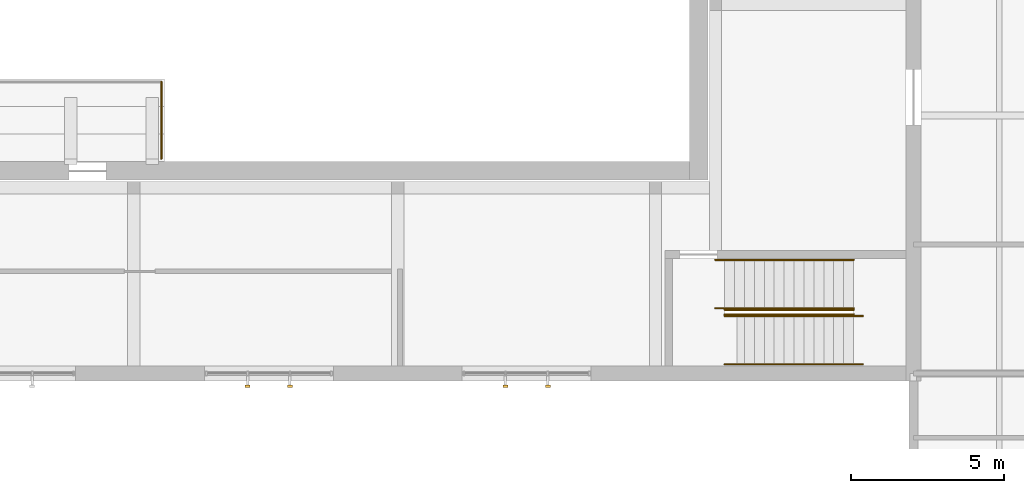
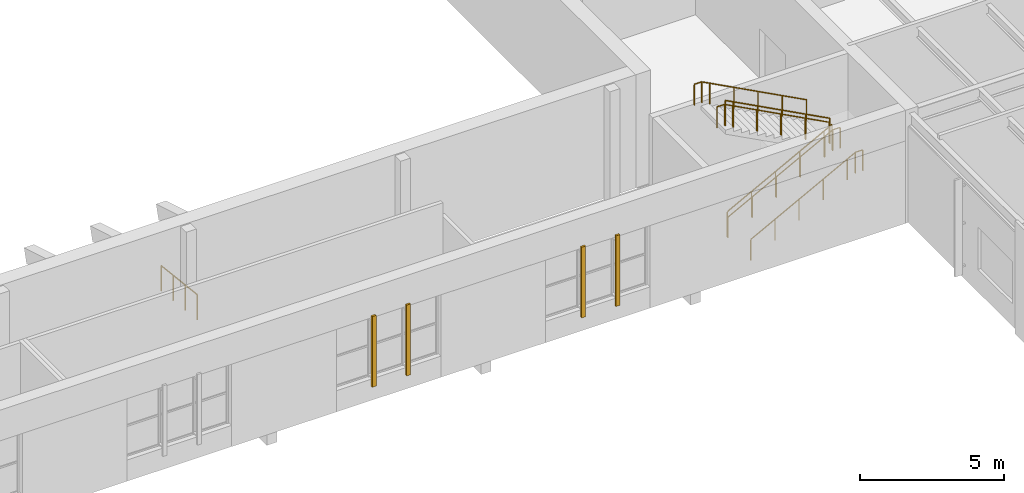
# One storey, part 115 of 127: 7 railings, 4 shading devices.
"""IFC4 building model written with IfcOpenShell, lengths in metres."""

from ifc_helpers import new_model, si_unit, direction, frame, origin, origin_2d, place, context, subcontext, project, spatial, rectangle, circle, extrude, material, type_object, element, save


model = new_model("IFC4")

# Units and contexts
model_context = context("Model", 3, precision=1e-05, world=origin(), true_north=direction((0.0, 1.0)))
body_context = subcontext(model_context, "Body", "Model", "MODEL_VIEW")
ifc_project = project(units=[si_unit("LENGTHUNIT", "METRE"), si_unit("AREAUNIT", "SQUARE_METRE"), si_unit("VOLUMEUNIT", "CUBIC_METRE"), si_unit("PLANEANGLEUNIT", "RADIAN"), si_unit("MASSUNIT", "GRAM", prefix="KILO")], contexts=[model_context])

# Site, building, storey
site_placement = place(None, origin())
site = spatial("IfcSite", under=ifc_project, at=site_placement, CompositionType="ELEMENT")
building_placement = place(site_placement, origin())
building = spatial("IfcBuilding", under=site, at=building_placement, Name="Ljudholm Concert House", CompositionType="ELEMENT")
storey_placement = place(building_placement, frame((0.0, 0.0, 5.39990234375)))
storey = spatial("IfcBuildingStorey", under=building, at=storey_placement, Name="L01", CompositionType="ELEMENT", Elevation=5.39990234375)

# Shading devices
ifc_material_1 = material(Name="Aluminium extrusion with timber-grain PVDF finish", Category="aluminium")
shading_device_type = type_object("IfcShadingDeviceType", Name="FACADE FIN 80x160", PredefinedType="SHUTTER", material=ifc_material_1)
for number, where, z_axis, x_axis, name in (
    (1, (74.7099609375, 53.989990234375, 0.7001953125), (0.0, 0.0, 1.0), (0.0, -1.0, 0.0), "Facade fin"),
    (2, (76.090087890625, 53.989990234375, 0.7001953125), (0.0, 0.0, 1.0), (0.0, -1.0, 0.0), "Facade fin"),
    (3, (83.110107421875, 53.989990234375, 0.7001953125), (0.0, 0.0, 1.0), (0.0, -1.0, 0.0), "Facade fin"),
    (4, (84.489990234375, 53.989990234375, 0.7001953125), (0.0, 0.0, 1.0), (0.0, -1.0, 0.0), "Facade fin"),
):
    element("IfcShadingDevice", number, at=place(storey_placement, frame(where, z_axis=z_axis, x_axis=x_axis)), inside=storey, type_object=shading_device_type, Name=name, PredefinedType="SHUTTER", context=body_context, shape_type="SweptSolid", body=[
        extrude(rectangle(XDim=0.080078125, YDim=0.159912109375, at=origin_2d()), origin(), (0.0, 0.0, 1.0), 3.0),
    ])

# Railings
ifc_material_2 = material(Name="Steel ASTM A36", Category="steel")
railing_type_1 = type_object("IfcRailingType", Name="GUARD 1100", PredefinedType="GUARDRAIL", material=ifc_material_2)
railing_1_placement = place(storey_placement, frame((90.25, 56.324951171875, 0.171630859375)))
element("IfcRailing", 5, at=railing_1_placement, inside=storey, type_object=railing_type_1, Name="Guard", PredefinedType="GUARDRAIL", context=body_context, shape_type="SweptSolid", body=[
    extrude(circle(Radius=0.02490234375, at=origin_2d()), frame((0.0, 0.0, 1.0751953125), z_axis=(0.883397901953, 0.0, 0.468623672925), x_axis=(0.0, 1.0, 0.0)), (0.0, 0.0, 1.0), 1.09716796875),
    extrude(circle(Radius=0.02490234375, at=origin_2d()), frame((0.96923828125, 0.0, 1.58935546875), z_axis=(0.883305776083, 0.0, 0.468797297281), x_axis=(0.0, 1.0, 0.0)), (0.0, 0.0, 1.0), 1.09716796875),
    extrude(circle(Radius=0.02490234375, at=origin_2d()), frame((1.9384765625, 0.0, 2.103515625), z_axis=(0.883397901953, 0.0, 0.468623672925), x_axis=(0.0, 1.0, 0.0)), (0.0, 0.0, 1.0), 1.09716796875),
    extrude(circle(Radius=0.02490234375, at=origin_2d()), frame((2.90771484375, 0.0, 2.61767578125), z_axis=(0.883305776083, 0.0, 0.468797297281), x_axis=(0.0, 1.0, 0.0)), (0.0, 0.0, 1.0), 1.09716796875),
    extrude(circle(Radius=0.02490234375, at=origin_2d()), frame((3.876953125, 0.0, 3.13232421875), z_axis=(0.883349020695, 0.0, 0.468715806899), x_axis=(0.0, 1.0, 0.0)), (0.0, 0.0, 1.0), 0.36572265625),
    extrude(circle(Radius=0.02099609375, at=origin_2d()), origin(), (0.0, 0.0, 1.0), 1.050048828125),
    extrude(circle(Radius=0.02099609375, at=origin_2d()), frame((0.96923828125, 0.0, 0.51416015625)), (0.0, 0.0, 1.0), 1.050048828125),
    extrude(circle(Radius=0.02099609375, at=origin_2d()), frame((1.9384765625, 0.0, 1.028564453125)), (0.0, 0.0, 1.0), 1.050048828125),
    extrude(circle(Radius=0.02099609375, at=origin_2d()), frame((2.90771484375, 0.0, 1.542724609375)), (0.0, 0.0, 1.0), 1.050048828125),
    extrude(circle(Radius=0.02099609375, at=origin_2d()), frame((3.876953125, 0.0, 2.05712890625)), (0.0, 0.0, 1.0), 1.050048828125),
    extrude(circle(Radius=0.02099609375, at=origin_2d()), frame((4.199951171875, 0.0, 2.228515625)), (0.0, 0.0, 1.0), 1.050048828125),
])
railing_2_placement = place(storey_placement, frame((94.449951171875, 56.47509765625, 2.571533203125)))
element("IfcRailing", 6, at=railing_2_placement, inside=storey, type_object=railing_type_1, Name="Guard", PredefinedType="GUARDRAIL", context=body_context, shape_type="SweptSolid", body=[
    extrude(circle(Radius=0.02490234375, at=origin_2d()), frame((0.0, 0.0, 1.0751953125), z_axis=(-0.883397901953, 0.0, 0.468623672925), x_axis=(0.0, -1.0, 0.0)), (0.0, 0.0, 1.0), 1.09716796875),
    extrude(circle(Radius=0.02490234375, at=origin_2d()), frame((-0.96923828125, 0.0, 1.58935546875), z_axis=(-0.883305776083, 0.0, 0.468797297281), x_axis=(0.0, -1.0, 0.0)), (0.0, 0.0, 1.0), 1.09716796875),
    extrude(circle(Radius=0.02490234375, at=origin_2d()), frame((-1.9384765625, 0.0, 2.103515625), z_axis=(-0.883305776083, 0.0, 0.468797297281), x_axis=(0.0, -1.0, 0.0)), (0.0, 0.0, 1.0), 1.09716796875),
    extrude(circle(Radius=0.02490234375, at=origin_2d()), frame((-2.90771484375, 0.0, 2.6181640625), z_axis=(-0.883397901953, 0.0, 0.468623672925), x_axis=(0.0, -1.0, 0.0)), (0.0, 0.0, 1.0), 1.09716796875),
    extrude(circle(Radius=0.02490234375, at=origin_2d()), frame((-3.876953125, 0.0, 3.13232421875), z_axis=(-0.883349020695, 0.0, 0.468715806899), x_axis=(0.0, -1.0, 0.0)), (0.0, 0.0, 1.0), 0.36572265625),
    extrude(circle(Radius=0.02099609375, at=origin_2d()), origin(), (0.0, 0.0, 1.0), 1.050048828125),
    extrude(circle(Radius=0.02099609375, at=origin_2d()), frame((-0.96923828125, 0.0, 0.51416015625)), (0.0, 0.0, 1.0), 1.050048828125),
    extrude(circle(Radius=0.02099609375, at=origin_2d()), frame((-1.9384765625, 0.0, 1.028564453125)), (0.0, 0.0, 1.0), 1.050048828125),
    extrude(circle(Radius=0.02099609375, at=origin_2d()), frame((-2.90771484375, 0.0, 1.54296875)), (0.0, 0.0, 1.0), 1.050048828125),
    extrude(circle(Radius=0.02099609375, at=origin_2d()), frame((-3.876953125, 0.0, 2.05712890625)), (0.0, 0.0, 1.0), 1.050048828125),
    extrude(circle(Radius=0.02099609375, at=origin_2d()), frame((-4.199951171875, 0.0, 2.228515625)), (0.0, 0.0, 1.0), 1.050048828125),
])
railing_3_placement = place(storey_placement, frame((71.89990234375, 61.39990234375, 0.0)))
element("IfcRailing", 7, at=railing_3_placement, inside=storey, type_object=railing_type_1, Name="Gallery end guard", PredefinedType="GUARDRAIL", context=body_context, shape_type="SweptSolid", body=[
    extrude(circle(Radius=0.02490234375, at=origin_2d()), frame((0.0, 0.0, 1.0751953125), z_axis=(0.0, 0.993392781118, -0.114764029303), x_axis=(-1.0, 0.0, 0.0)), (0.0, 0.0, 1.0), 2.5166015625),
    extrude(circle(Radius=0.02099609375, at=origin_2d()), origin(), (0.0, 0.0, 1.0), 1.050048828125),
    extrude(circle(Radius=0.02099609375, at=origin_2d()), frame((0.0, 0.833251953125, -0.09619140625)), (0.0, 0.0, 1.0), 1.050048828125),
    extrude(circle(Radius=0.02099609375, at=origin_2d()), frame((0.0, 1.666748046875, -0.192626953125)), (0.0, 0.0, 1.0), 1.050048828125),
    extrude(circle(Radius=0.02099609375, at=origin_2d()), frame((0.0, 2.5, -0.288818359375)), (0.0, 0.0, 1.0), 1.050048828125),
])
ifc_material_3 = material(Name="Steel ASTM A36", Category="steel")
railing_type_2 = type_object("IfcRailingType", Name="HANDRAIL 900", PredefinedType="HANDRAIL", material=ifc_material_3)
railing_4_placement = place(storey_placement, frame((90.25, 56.27490234375, 0.171630859375)))
element("IfcRailing", 8, at=railing_4_placement, inside=storey, type_object=railing_type_2, Name="Handrail", PredefinedType="HANDRAIL", context=body_context, shape_type="SweptSolid", body=[
    extrude(circle(Radius=0.0224609375, at=origin_2d()), frame((0.0, 0.0, 0.87744140625), z_axis=(0.883397901953, 0.0, 0.468623672925), x_axis=(0.0, 1.0, 0.0)), (0.0, 0.0, 1.0), 1.09716796875),
    extrude(circle(Radius=0.0224609375, at=origin_2d()), frame((0.96923828125, 0.0, 1.3916015625), z_axis=(0.883305776083, 0.0, 0.468797297281), x_axis=(0.0, 1.0, 0.0)), (0.0, 0.0, 1.0), 1.09716796875),
    extrude(circle(Radius=0.0224609375, at=origin_2d()), frame((1.9384765625, 0.0, 1.906005859375), z_axis=(0.883397901953, 0.0, 0.468623672925), x_axis=(0.0, 1.0, 0.0)), (0.0, 0.0, 1.0), 1.09716796875),
    extrude(circle(Radius=0.0224609375, at=origin_2d()), frame((2.90771484375, 0.0, 2.420166015625), z_axis=(0.883305776083, 0.0, 0.468797297281), x_axis=(0.0, 1.0, 0.0)), (0.0, 0.0, 1.0), 1.09716796875),
    extrude(circle(Radius=0.0224609375, at=origin_2d()), frame((3.876953125, 0.0, 2.9345703125), z_axis=(0.883349020695, 0.0, 0.468715806899), x_axis=(0.0, 1.0, 0.0)), (0.0, 0.0, 1.0), 0.36572265625),
    extrude(circle(Radius=0.0224609375, at=origin_2d()), frame((4.199951171875, 0.0, 3.10595703125), z_axis=(1.0, 0.0, 0.0), x_axis=(0.0, 1.0, 0.0)), (0.0, 0.0, 1.0), 0.300048828125),
    extrude(circle(Radius=0.02099609375, at=origin_2d()), origin(), (0.0, 0.0, 1.0), 0.85498046875),
    extrude(circle(Radius=0.02099609375, at=origin_2d()), frame((0.96923828125, 0.0, 0.51416015625)), (0.0, 0.0, 1.0), 0.85498046875),
    extrude(circle(Radius=0.02099609375, at=origin_2d()), frame((1.9384765625, 0.0, 1.028564453125)), (0.0, 0.0, 1.0), 0.85498046875),
    extrude(circle(Radius=0.02099609375, at=origin_2d()), frame((2.90771484375, 0.0, 1.542724609375)), (0.0, 0.0, 1.0), 0.85498046875),
    extrude(circle(Radius=0.02099609375, at=origin_2d()), frame((3.876953125, 0.0, 2.05712890625)), (0.0, 0.0, 1.0), 0.85498046875),
    extrude(circle(Radius=0.02099609375, at=origin_2d()), frame((4.199951171875, 0.0, 2.228515625)), (0.0, 0.0, 1.0), 0.85498046875),
    extrude(circle(Radius=0.02099609375, at=origin_2d()), frame((4.5, 0.0, 2.228515625)), (0.0, 0.0, 1.0), 0.85498046875),
])
railing_5_placement = place(storey_placement, frame((90.25, 54.699951171875, 0.171630859375)))
element("IfcRailing", 9, at=railing_5_placement, inside=storey, type_object=railing_type_2, Name="Handrail", PredefinedType="HANDRAIL", context=body_context, shape_type="SweptSolid", body=[
    extrude(circle(Radius=0.0224609375, at=origin_2d()), frame((0.0, 0.0, 0.87744140625), z_axis=(0.883397901953, 0.0, 0.468623672925), x_axis=(0.0, 1.0, 0.0)), (0.0, 0.0, 1.0), 1.09716796875),
    extrude(circle(Radius=0.0224609375, at=origin_2d()), frame((0.96923828125, 0.0, 1.3916015625), z_axis=(0.883305776083, 0.0, 0.468797297281), x_axis=(0.0, 1.0, 0.0)), (0.0, 0.0, 1.0), 1.09716796875),
    extrude(circle(Radius=0.0224609375, at=origin_2d()), frame((1.9384765625, 0.0, 1.906005859375), z_axis=(0.883397901953, 0.0, 0.468623672925), x_axis=(0.0, 1.0, 0.0)), (0.0, 0.0, 1.0), 1.09716796875),
    extrude(circle(Radius=0.0224609375, at=origin_2d()), frame((2.90771484375, 0.0, 2.420166015625), z_axis=(0.883305776083, 0.0, 0.468797297281), x_axis=(0.0, 1.0, 0.0)), (0.0, 0.0, 1.0), 1.09716796875),
    extrude(circle(Radius=0.0224609375, at=origin_2d()), frame((3.876953125, 0.0, 2.9345703125), z_axis=(0.883349020695, 0.0, 0.468715806899), x_axis=(0.0, 1.0, 0.0)), (0.0, 0.0, 1.0), 0.36572265625),
    extrude(circle(Radius=0.0224609375, at=origin_2d()), frame((4.199951171875, 0.0, 3.10595703125), z_axis=(1.0, 0.0, 0.0), x_axis=(0.0, 1.0, 0.0)), (0.0, 0.0, 1.0), 0.300048828125),
    extrude(circle(Radius=0.02099609375, at=origin_2d()), origin(), (0.0, 0.0, 1.0), 0.85498046875),
    extrude(circle(Radius=0.02099609375, at=origin_2d()), frame((0.96923828125, 0.0, 0.51416015625)), (0.0, 0.0, 1.0), 0.85498046875),
    extrude(circle(Radius=0.02099609375, at=origin_2d()), frame((1.9384765625, 0.0, 1.028564453125)), (0.0, 0.0, 1.0), 0.85498046875),
    extrude(circle(Radius=0.02099609375, at=origin_2d()), frame((2.90771484375, 0.0, 1.542724609375)), (0.0, 0.0, 1.0), 0.85498046875),
    extrude(circle(Radius=0.02099609375, at=origin_2d()), frame((3.876953125, 0.0, 2.05712890625)), (0.0, 0.0, 1.0), 0.85498046875),
    extrude(circle(Radius=0.02099609375, at=origin_2d()), frame((4.199951171875, 0.0, 2.228515625)), (0.0, 0.0, 1.0), 0.85498046875),
    extrude(circle(Radius=0.02099609375, at=origin_2d()), frame((4.5, 0.0, 2.228515625)), (0.0, 0.0, 1.0), 0.85498046875),
])
railing_6_placement = place(storey_placement, frame((94.449951171875, 56.52490234375, 2.571533203125)))
element("IfcRailing", 10, at=railing_6_placement, inside=storey, type_object=railing_type_2, Name="Handrail", PredefinedType="HANDRAIL", context=body_context, shape_type="SweptSolid", body=[
    extrude(circle(Radius=0.0224609375, at=origin_2d()), frame((0.0, 0.0, 0.87744140625), z_axis=(-0.883397901953, 0.0, 0.468623672925), x_axis=(0.0, -1.0, 0.0)), (0.0, 0.0, 1.0), 1.09716796875),
    extrude(circle(Radius=0.0224609375, at=origin_2d()), frame((-0.96923828125, 0.0, 1.3916015625), z_axis=(-0.883305776083, 0.0, 0.468797297281), x_axis=(0.0, -1.0, 0.0)), (0.0, 0.0, 1.0), 1.09716796875),
    extrude(circle(Radius=0.0224609375, at=origin_2d()), frame((-1.9384765625, 0.0, 1.906005859375), z_axis=(-0.883305776083, 0.0, 0.468797297281), x_axis=(0.0, -1.0, 0.0)), (0.0, 0.0, 1.0), 1.09716796875),
    extrude(circle(Radius=0.0224609375, at=origin_2d()), frame((-2.90771484375, 0.0, 2.42041015625), z_axis=(-0.883397901953, 0.0, 0.468623672925), x_axis=(0.0, -1.0, 0.0)), (0.0, 0.0, 1.0), 1.09716796875),
    extrude(circle(Radius=0.0224609375, at=origin_2d()), frame((-3.876953125, 0.0, 2.9345703125), z_axis=(-0.883349020695, 0.0, 0.468715806899), x_axis=(0.0, -1.0, 0.0)), (0.0, 0.0, 1.0), 0.36572265625),
    extrude(circle(Radius=0.0224609375, at=origin_2d()), frame((-4.199951171875, 0.0, 3.10595703125), z_axis=(-1.0, 0.0, 0.0), x_axis=(0.0, -1.0, 0.0)), (0.0, 0.0, 1.0), 0.300048828125),
    extrude(circle(Radius=0.02099609375, at=origin_2d()), origin(), (0.0, 0.0, 1.0), 0.85498046875),
    extrude(circle(Radius=0.02099609375, at=origin_2d()), frame((-0.96923828125, 0.0, 0.51416015625)), (0.0, 0.0, 1.0), 0.85498046875),
    extrude(circle(Radius=0.02099609375, at=origin_2d()), frame((-1.9384765625, 0.0, 1.028564453125)), (0.0, 0.0, 1.0), 0.85498046875),
    extrude(circle(Radius=0.02099609375, at=origin_2d()), frame((-2.90771484375, 0.0, 1.54296875)), (0.0, 0.0, 1.0), 0.85498046875),
    extrude(circle(Radius=0.02099609375, at=origin_2d()), frame((-3.876953125, 0.0, 2.05712890625)), (0.0, 0.0, 1.0), 0.85498046875),
    extrude(circle(Radius=0.02099609375, at=origin_2d()), frame((-4.199951171875, 0.0, 2.228515625)), (0.0, 0.0, 1.0), 0.85498046875),
    extrude(circle(Radius=0.02099609375, at=origin_2d()), frame((-4.5, 0.0, 2.228515625)), (0.0, 0.0, 1.0), 0.85498046875),
])
railing_7_placement = place(storey_placement, frame((94.449951171875, 58.10009765625, 2.571533203125)))
element("IfcRailing", 11, at=railing_7_placement, inside=storey, type_object=railing_type_2, Name="Handrail", PredefinedType="HANDRAIL", context=body_context, shape_type="SweptSolid", body=[
    extrude(circle(Radius=0.0224609375, at=origin_2d()), frame((0.0, 0.0, 0.87744140625), z_axis=(-0.883397901953, 0.0, 0.468623672925), x_axis=(0.0, -1.0, 0.0)), (0.0, 0.0, 1.0), 1.09716796875),
    extrude(circle(Radius=0.0224609375, at=origin_2d()), frame((-0.96923828125, 0.0, 1.3916015625), z_axis=(-0.883305776083, 0.0, 0.468797297281), x_axis=(0.0, -1.0, 0.0)), (0.0, 0.0, 1.0), 1.09716796875),
    extrude(circle(Radius=0.0224609375, at=origin_2d()), frame((-1.9384765625, 0.0, 1.906005859375), z_axis=(-0.883305776083, 0.0, 0.468797297281), x_axis=(0.0, -1.0, 0.0)), (0.0, 0.0, 1.0), 1.09716796875),
    extrude(circle(Radius=0.0224609375, at=origin_2d()), frame((-2.90771484375, 0.0, 2.42041015625), z_axis=(-0.883397901953, 0.0, 0.468623672925), x_axis=(0.0, -1.0, 0.0)), (0.0, 0.0, 1.0), 1.09716796875),
    extrude(circle(Radius=0.0224609375, at=origin_2d()), frame((-3.876953125, 0.0, 2.9345703125), z_axis=(-0.883349020695, 0.0, 0.468715806899), x_axis=(0.0, -1.0, 0.0)), (0.0, 0.0, 1.0), 0.36572265625),
    extrude(circle(Radius=0.0224609375, at=origin_2d()), frame((-4.199951171875, 0.0, 3.10595703125), z_axis=(-1.0, 0.0, 0.0), x_axis=(0.0, -1.0, 0.0)), (0.0, 0.0, 1.0), 0.300048828125),
    extrude(circle(Radius=0.02099609375, at=origin_2d()), origin(), (0.0, 0.0, 1.0), 0.85498046875),
    extrude(circle(Radius=0.02099609375, at=origin_2d()), frame((-0.96923828125, 0.0, 0.51416015625)), (0.0, 0.0, 1.0), 0.85498046875),
    extrude(circle(Radius=0.02099609375, at=origin_2d()), frame((-1.9384765625, 0.0, 1.028564453125)), (0.0, 0.0, 1.0), 0.85498046875),
    extrude(circle(Radius=0.02099609375, at=origin_2d()), frame((-2.90771484375, 0.0, 1.54296875)), (0.0, 0.0, 1.0), 0.85498046875),
    extrude(circle(Radius=0.02099609375, at=origin_2d()), frame((-3.876953125, 0.0, 2.05712890625)), (0.0, 0.0, 1.0), 0.85498046875),
    extrude(circle(Radius=0.02099609375, at=origin_2d()), frame((-4.199951171875, 0.0, 2.228515625)), (0.0, 0.0, 1.0), 0.85498046875),
    extrude(circle(Radius=0.02099609375, at=origin_2d()), frame((-4.5, 0.0, 2.228515625)), (0.0, 0.0, 1.0), 0.85498046875),
])

save(model, "model.ifc")
